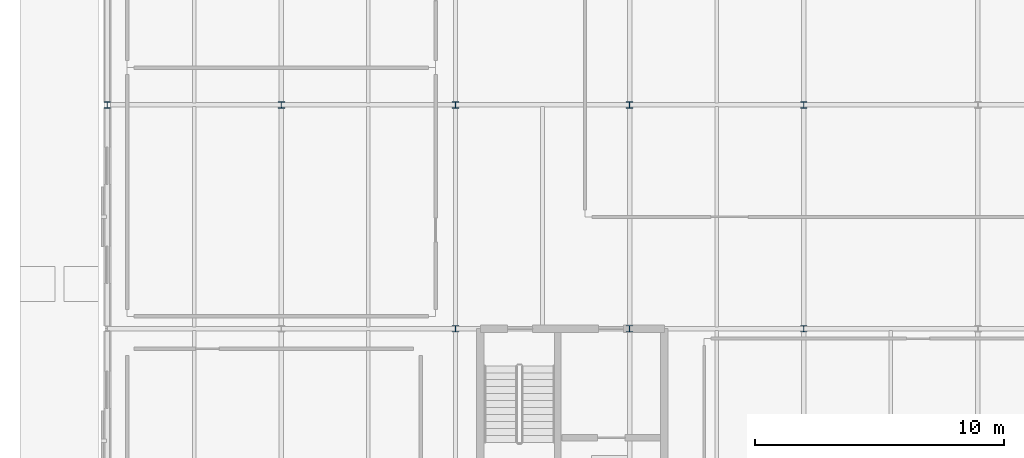
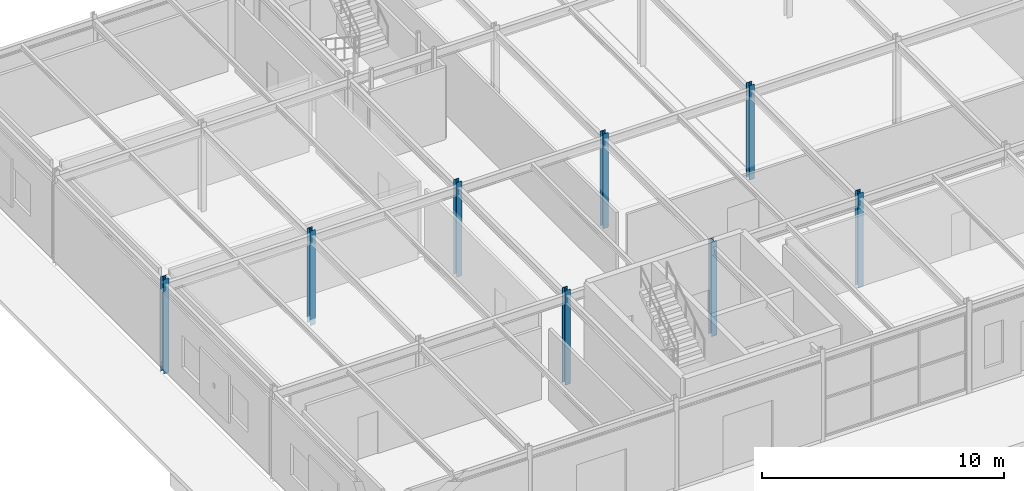
# One storey, part 4 of 119: 8 columns.
"""IFC4 building model written with IfcOpenShell, lengths in metres."""

import ifcopenshell
import ifcopenshell.guid

model = None  # the IFC model being written
_history = None  # IfcOwnerHistory: only IFC2X3 demands one
_inside = {}  # id of a spatial element -> (the spatial element, [elements in it])
_under = {}  # id of a project, library or spatial element -> (it, [spatial elements below it])
_declared = {}  # id of a project -> (the project, [libraries it declares])
_typed = {}  # id of a type object -> (the type object, [elements of that type])
_made_of = {}  # id of a material, layer set ... -> (it, [elements and type objects made of it])


def new_model(schema):
    """Start an empty IFC model of exactly this schema.

    Asked for "IFC4X3", IfcOpenShell would pick the latest addendum, in which some entities
    have other attributes; the version numbers below select the first issue.
    IFC2X3 requires an IfcOwnerHistory on every rooted entity: one is made here for all.
    """
    global model, _history
    if schema == "IFC4X3":
        model = ifcopenshell.file(schema_version=(4, 3, 0, 0))
    else:
        model = ifcopenshell.file(schema=schema)
    _inside.clear()
    _under.clear()
    _declared.clear()
    _typed.clear()
    _made_of.clear()
    _history = None
    if model.schema == "IFC2X3":
        org = make("IfcOrganization", Name="unknown")
        user = make(
            "IfcPersonAndOrganization",
            ThePerson=make("IfcPerson", FamilyName="unknown"),
            TheOrganization=org,
        )
        app = make(
            "IfcApplication",
            ApplicationDeveloper=org,
            Version="unknown",
            ApplicationFullName="unknown",
            ApplicationIdentifier="unknown",
        )
        _history = make(
            "IfcOwnerHistory",
            OwningUser=user,
            OwningApplication=app,
            ChangeAction="ADDED",
            CreationDate=0,
        )
    return model


def make(cls, **values):
    """One entity of the class cls with the attributes given. An attribute that is None is left unset."""
    return model.create_entity(
        cls, **{name: value for name, value in values.items() if value is not None}
    )


def rooted(cls, **values):
    """An entity with a GlobalId (a new one), such as an element, a storey or a relation."""
    return make(cls, GlobalId=ifcopenshell.guid.new(), OwnerHistory=_history, **values)


def si_unit(unit_type, name, prefix=None):
    """IfcSIUnit, for example si_unit("LENGTHUNIT", "METRE", prefix="MILLI")."""
    return make("IfcSIUnit", UnitType=unit_type, Prefix=prefix, Name=name)


def derived_unit(unit_type, elements):
    """IfcDerivedUnit: a product of units, each with its exponent."""
    return make(
        "IfcDerivedUnit",
        Elements=[
            make("IfcDerivedUnitElement", Unit=unit, Exponent=power)
            for unit, power in elements
        ],
        UnitType=unit_type,
    )


def assignment(units):
    """IfcUnitAssignment: the units of a project."""
    return None if units is None else make("IfcUnitAssignment", Units=units)


def point(xyz):
    """IfcCartesianPoint."""
    return None if xyz is None else make("IfcCartesianPoint", Coordinates=xyz)


def direction(xyz):
    """IfcDirection."""
    return None if xyz is None else make("IfcDirection", DirectionRatios=xyz)


def frame(location, z_axis=None, x_axis=None):
    """IfcAxis2Placement3D, a coordinate frame: its origin and axes. An axis left out is left unset."""
    return make(
        "IfcAxis2Placement3D",
        Location=point(location),
        Axis=direction(z_axis),
        RefDirection=direction(x_axis),
    )


def frame_2d(location, x_axis=None):
    """IfcAxis2Placement2D, a coordinate frame in the plane: its origin and x axis."""
    return make(
        "IfcAxis2Placement2D", Location=point(location), RefDirection=direction(x_axis)
    )


def origin():
    """The frame at (0, 0, 0) with its axes left unset."""
    return frame((0.0, 0.0, 0.0))


def origin_2d_with_axis():
    """The frame at (0, 0) in the plane with the x axis (1, 0) written out."""
    return frame_2d((0.0, 0.0), x_axis=(1.0, 0.0))


def place(relative_to, where):
    """IfcLocalPlacement: puts the frame where relative to a parent placement (None: the world)."""
    return make(
        "IfcLocalPlacement", PlacementRelTo=relative_to, RelativePlacement=where
    )


def context(
    kind, dimensions, precision=None, world=None, true_north=None, identifier=None
):
    """IfcGeometricRepresentationContext, for example the 3D "Model" context."""
    return make(
        "IfcGeometricRepresentationContext",
        ContextIdentifier=identifier,
        ContextType=kind,
        CoordinateSpaceDimension=dimensions,
        Precision=precision,
        WorldCoordinateSystem=world,
        TrueNorth=true_north,
    )


def subcontext(parent, identifier, kind, view, scale=None):
    """IfcGeometricRepresentationSubContext, for example "Body" below "Model"."""
    return make(
        "IfcGeometricRepresentationSubContext",
        ContextIdentifier=identifier,
        ContextType=kind,
        ParentContext=parent,
        TargetScale=scale,
        TargetView=view,
    )


def project(units=None, contexts=None):
    """IfcProject with its units and contexts."""
    return rooted(
        "IfcProject",
        Name="project",
        RepresentationContexts=contexts,
        UnitsInContext=assignment(units),
    )


def spatial(cls, under=None, at=None, **own):
    """A site, building, storey or space (cls), placed at a placement, below another one or the project."""
    s = rooted(cls, ObjectPlacement=at, **own)
    if under is not None:
        _under.setdefault(under.id(), (under, []))[1].append(s)
    return s


def profile(cls, at=None, kind="AREA", **sizes):
    """A parametric profile (cls). Its sizes go by their IFC names, for example OverallWidth=200.0."""
    return make(cls, ProfileType=kind, Position=at, **sizes)


def i_section(**sizes):
    """IfcIShapeProfileDef."""
    return profile("IfcIShapeProfileDef", **sizes)


def extrude(swept, where, along, depth):
    """IfcExtrudedAreaSolid: the profile swept, set in the frame where, extruded along a direction by depth."""
    return make(
        "IfcExtrudedAreaSolid",
        SweptArea=swept,
        Position=where,
        ExtrudedDirection=direction(along),
        Depth=depth,
    )


def shape(context_of_items, identifier, shape_type, items):
    """IfcShapeRepresentation: the items that make up one representation, for example the "Body"."""
    return make(
        "IfcShapeRepresentation",
        ContextOfItems=context_of_items,
        RepresentationIdentifier=identifier,
        RepresentationType=shape_type,
        Items=items,
    )


def material(Name=None, Category=None):
    """IfcMaterial."""
    return make("IfcMaterial", Name=Name, Category=Category)


def material_profile(
    of_material, cross_section, Name=None, Category=None, Priority=None
):
    """IfcMaterialProfile: a cross section and its material."""
    return make(
        "IfcMaterialProfile",
        Name=Name,
        Material=of_material,
        Profile=cross_section,
        Priority=Priority,
        Category=Category,
    )


def profile_set(profiles, Name=None, composite=None):
    """IfcMaterialProfileSet."""
    return make(
        "IfcMaterialProfileSet",
        Name=Name,
        MaterialProfiles=profiles,
        CompositeProfile=composite,
    )


def made_of(thing, what):
    """Note that an element or type object is made of a material, layer set ...; save() writes the relation."""
    if what is not None:
        _made_of.setdefault(what.id(), (what, []))[1].append(thing)
    return thing


def type_object(cls, material=None, **own):
    """A type object (cls), such as IfcWallType, which elements share."""
    return made_of(rooted(cls, **own), material)


def element(
    cls,
    number,
    at=None,
    inside=None,
    cuts=None,
    type_object=None,
    material=None,
    context=None,
    identifier="Body",
    shape_type=None,
    held_by="IfcProductDefinitionShape",
    body=None,
    shapes=None,
    **own,
):
    """One element of the class cls, such as IfcWall. Its Tag is "e" and its number.

    at: its placement. inside: the storey or other place that contains it. cuts: it is an
    opening in that element (IfcRelVoidsElement). A single representation is given by context,
    identifier, shape_type and body (its items); several are given by shapes. held_by: the class
    of the entity that holds the representations. save() writes the other relations.
    """
    e = rooted(cls, Tag="e%d" % number, ObjectPlacement=at, **own)
    if body is not None:
        shapes = [shape(context, identifier, shape_type, body)]
    if shapes is not None:
        e.Representation = make(held_by, Representations=shapes)
    if inside is not None:
        _inside.setdefault(inside.id(), (inside, []))[1].append(e)
    if cuts is not None:
        rooted(
            "IfcRelVoidsElement", RelatingBuildingElement=cuts, RelatedOpeningElement=e
        )
    if type_object is not None:
        _typed.setdefault(type_object.id(), (type_object, []))[1].append(e)
    return made_of(e, material)


def aggregate(whole, parts):
    """IfcRelAggregates: a whole, such as a stair, and the parts it consists of."""
    return rooted("IfcRelAggregates", RelatingObject=whole, RelatedObjects=parts)


def save(model, path):
    """Write the relations noted so far, then the file.

    IfcRelAggregates (storeys below a building ...), IfcRelContainedInSpatialStructure (elements
    in a storey), IfcRelDefinesByType, IfcRelAssociatesMaterial and IfcRelDeclares: one each for
    every whole, place, type object, material and project.
    """
    for whole, parts in _under.values():
        aggregate(whole, parts)
    for where, things in _inside.values():
        rooted(
            "IfcRelContainedInSpatialStructure",
            RelatedElements=things,
            RelatingStructure=where,
        )
    for kind, things in _typed.values():
        rooted("IfcRelDefinesByType", RelatedObjects=things, RelatingType=kind)
    for what, things in _made_of.values():
        rooted("IfcRelAssociatesMaterial", RelatedObjects=things, RelatingMaterial=what)
    for by, libraries in _declared.values():
        rooted("IfcRelDeclares", RelatingContext=by, RelatedDefinitions=libraries)
    model.write(path)


model = new_model("IFC4")

# Units and contexts
model_context = context("Model", 3, precision=1e-05, world=origin(), true_north=direction((0.0, 1.0)))
body_context = subcontext(model_context, "Body", "Model", "MODEL_VIEW")
ifc_project = project(units=[si_unit("LENGTHUNIT", "METRE"), si_unit("AREAUNIT", "SQUARE_METRE"), si_unit("VOLUMEUNIT", "CUBIC_METRE"), si_unit("PLANEANGLEUNIT", "RADIAN"), si_unit("MASSUNIT", "GRAM", prefix="KILO"), derived_unit("THERMALTRANSMITTANCEUNIT", [(si_unit("POWERUNIT", "WATT"), 1), (si_unit("LENGTHUNIT", "METRE"), -2), (si_unit("THERMODYNAMICTEMPERATUREUNIT", "KELVIN"), -1)])], contexts=[model_context])

# Site, building, storey
site_placement = place(None, origin())
site = spatial("IfcSite", under=ifc_project, at=site_placement, CompositionType="ELEMENT")
building_placement = place(site_placement, origin())
building = spatial("IfcBuilding", under=site, at=building_placement, Name="Cinnabar Yard Market Hall", CompositionType="ELEMENT")
storey_placement = place(building_placement, origin())
storey = spatial("IfcBuildingStorey", under=building, at=storey_placement, Name="L00", CompositionType="ELEMENT", Elevation=0.0)

# Columns
ifc_material = material(Name="Steel Grade 300 (300 MPa)", Category="steel")
ifc_material_profile_1 = material_profile(ifc_material, i_section(OverallWidth=0.256103515625, OverallDepth=0.260009765625, WebThickness=0.010498046875, FlangeThickness=0.017333984375, FilletRadius=0.013916015625, at=origin_2d_with_axis()), Name="250UC89.5")
ifc_profile_set_1 = profile_set([ifc_material_profile_1], Name="Steel Grade 300 (300 MPa)")
column_type_1 = type_object("IfcColumnType", Name="COL-C10", PredefinedType="COLUMN", material=ifc_profile_set_1)
for number, where, z_axis, x_axis, name in (
    (1, (17.0, 66.0, -0.280029296875), (0.0, 0.0, 1.0), (1.0, 0.0, 0.0), "Pavilion Column V2-02-03 L00"),
    (2, (24.0, 57.0, -0.280029296875), (0.0, 0.0, 1.0), (1.0, 0.0, 0.0), "Pavilion Column V2-03-02 L00"),
    (3, (24.0, 66.0, -0.280029296875), (0.0, 0.0, 1.0), (1.0, 0.0, 0.0), "Pavilion Column V2-03-03 L00"),
    (4, (31.0, 57.0, -0.280029296875), (0.0, 0.0, 1.0), (1.0, 0.0, 0.0), "Pavilion Column V2-04-02 L00"),
    (5, (31.0, 66.0, -0.280029296875), (0.0, 0.0, 1.0), (1.0, 0.0, 0.0), "Pavilion Column V2-04-03 L00"),
    (6, (38.0, 57.0, -0.280029296875), (0.0, 0.0, 1.0), (1.0, 0.0, 0.0), "Pavilion Column V2-05-02 L00"),
    (7, (38.0, 66.0, -0.280029296875), (0.0, 0.0, 1.0), (1.0, 0.0, 0.0), "Pavilion Column V2-05-03 L00"),
):
    element("IfcColumn", number, at=place(storey_placement, frame(where, z_axis=z_axis, x_axis=x_axis)), inside=storey, type_object=column_type_1, Name=name, PredefinedType="COLUMN", context=body_context, shape_type="SweptSolid", body=[
        extrude(i_section(OverallWidth=0.256103515625, OverallDepth=0.260009765625, WebThickness=0.010498046875, FlangeThickness=0.017333984375, FilletRadius=0.013916015625, at=origin_2d_with_axis()), origin(), (0.0, 0.0, 1.0), 4.780029296875),
    ])
ifc_material_profile_2 = material_profile(ifc_material, i_section(OverallWidth=0.25390625, OverallDepth=0.25390625, WebThickness=0.008544921875, FlangeThickness=0.01416015625, FilletRadius=0.013916015625, at=origin_2d_with_axis()), Name="250UC72.9")
ifc_profile_set_2 = profile_set([ifc_material_profile_2], Name="Steel Grade 300 (300 MPa)")
column_type_2 = type_object("IfcColumnType", Name="COL-C11E", PredefinedType="COLUMN", material=ifc_profile_set_2)
column_placement = place(storey_placement, frame((10.0, 66.0, -0.280029296875), z_axis=(0.0, 0.0, 1.0), x_axis=(1.0, 0.0, 0.0)))
element("IfcColumn", 8, at=column_placement, inside=storey, type_object=column_type_2, Name="Pavilion Column V2-01-03 L00", PredefinedType="COLUMN", context=body_context, shape_type="SweptSolid", body=[
    extrude(i_section(OverallWidth=0.25390625, OverallDepth=0.25390625, WebThickness=0.008544921875, FlangeThickness=0.01416015625, FilletRadius=0.013916015625, at=origin_2d_with_axis()), origin(), (0.0, 0.0, 1.0), 4.780029296875),
])

save(model, "model.ifc")
